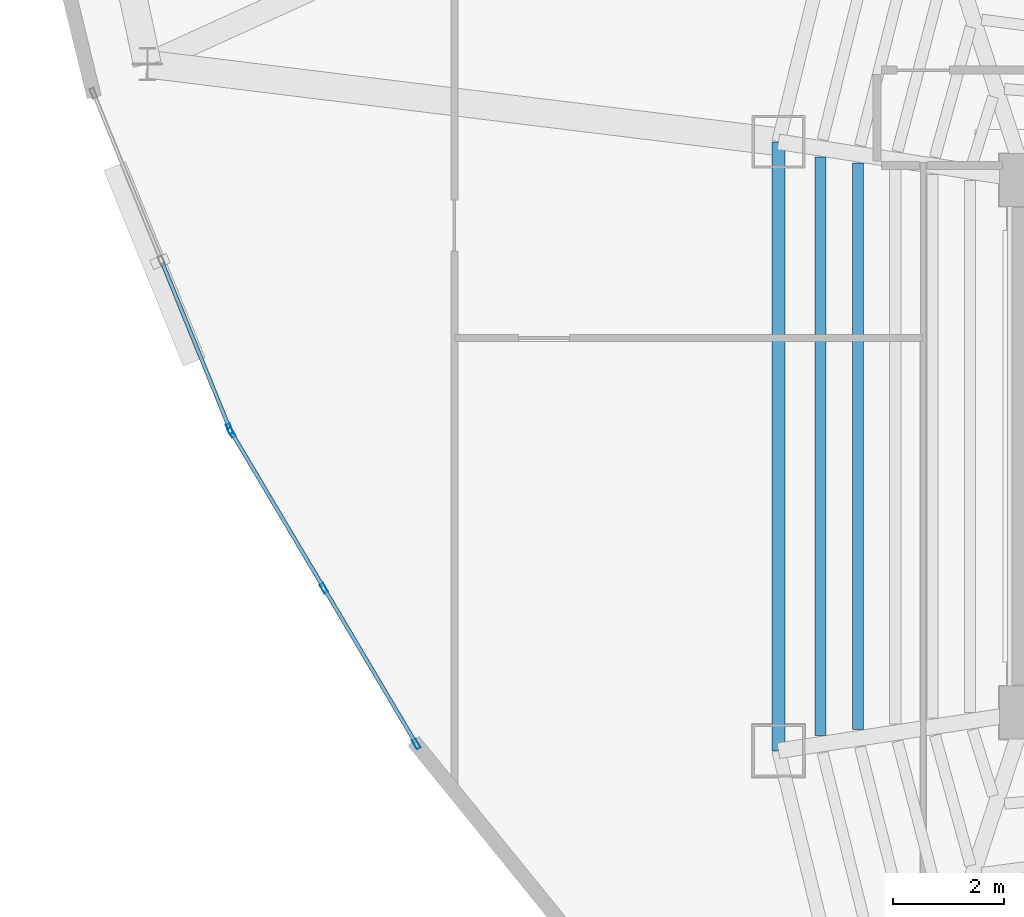
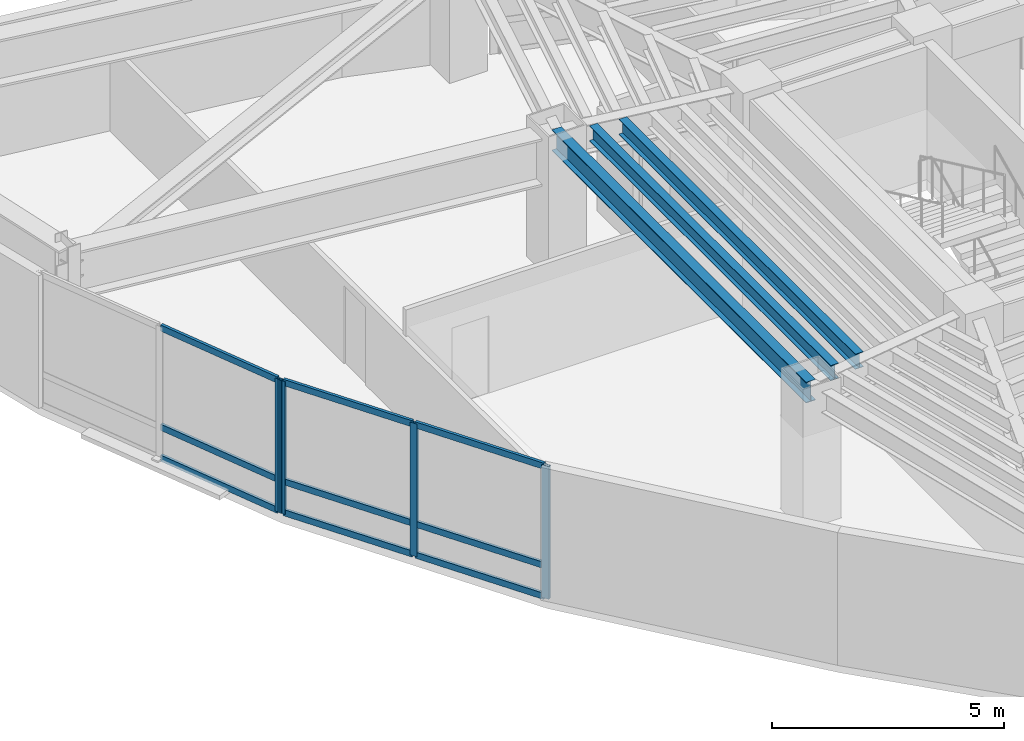
# One storey, part 2 of 16: 13 members, 3 beams, 2 elements without a shape of their own.
"""IFC4 building model written with IfcOpenShell, lengths in metres."""

from ifc_helpers import new_model, si_unit, direction, frame, origin, origin_2d, place, context, subcontext, project, spatial, hollow_rectangle, i_section, extrude, material, layer, layer_set, material_profile, profile_set, type_object, element, aggregate, save


model = new_model("IFC4")

# Units and contexts
model_context = context("Model", 3, precision=1e-05, world=origin(), true_north=direction((0.0, 1.0)))
body_context = subcontext(model_context, "Body", "Model", "MODEL_VIEW")
ifc_project = project(units=[si_unit("LENGTHUNIT", "METRE"), si_unit("AREAUNIT", "SQUARE_METRE"), si_unit("VOLUMEUNIT", "CUBIC_METRE"), si_unit("PLANEANGLEUNIT", "RADIAN"), si_unit("MASSUNIT", "GRAM", prefix="KILO")], contexts=[model_context])

# Site, building, storey
site_placement = place(None, origin())
site = spatial("IfcSite", under=ifc_project, at=site_placement, CompositionType="ELEMENT")
building_placement = place(site_placement, origin())
building = spatial("IfcBuilding", under=site, at=building_placement, Name="Menara Vayukalpa", CompositionType="ELEMENT")
storey_placement = place(building_placement, frame((0.0, 0.0, 195.239990234375)))
storey = spatial("IfcBuildingStorey", under=building, at=storey_placement, Name="L49", CompositionType="ELEMENT", Elevation=195.239990234375)

# Beams
ifc_material_1 = material(Name="Steel S355", Category="steel")
ifc_material_profile_1 = material_profile(ifc_material_1, i_section(OverallWidth=0.199951171875, OverallDepth=0.39990234375, WebThickness=0.008056640625, FlangeThickness=0.012939453125, at=origin_2d()), Name="WF 400x200x8x13")
ifc_profile_set_1 = profile_set([ifc_material_profile_1], Name="Steel S355")
beam_type_1 = type_object("IfcBeamType", Name="BM-SJ2", PredefinedType="JOIST", material=ifc_profile_set_1)
beam_1_placement = place(storey_placement, frame((14.77490234375, 27.10791015625, 3.300048828125), z_axis=(0.0, -1.0, 0.0), x_axis=(1.0, 0.0, 0.0)))
element("IfcBeam", 1, at=beam_1_placement, inside=storey, type_object=beam_type_1, Name="L49 Secondary Floor Joist SJ05-4", PredefinedType="JOIST", context=body_context, shape_type="SweptSolid", body=[
    extrude(i_section(OverallWidth=0.199951171875, OverallDepth=0.39990234375, WebThickness=0.008056640625, FlangeThickness=0.012939453125, at=origin_2d()), origin(), (0.0, 0.0, 1.0), 10.2158203125),
])
beam_2_placement = place(storey_placement, frame((14.1015625, 27.2119140625, 3.300048828125), z_axis=(0.0, -1.0, 0.0), x_axis=(1.0, 0.0, 0.0)))
element("IfcBeam", 2, at=beam_2_placement, inside=storey, type_object=beam_type_1, Name="L49 Secondary Floor Joist SJ05-5", PredefinedType="JOIST", context=body_context, shape_type="SweptSolid", body=[
    extrude(i_section(OverallWidth=0.199951171875, OverallDepth=0.39990234375, WebThickness=0.008056640625, FlangeThickness=0.012939453125, at=origin_2d()), origin(), (0.0, 0.0, 1.0), 10.423828125),
])
ifc_material_2 = material(Name="Steel S355", Category="steel")
ifc_material_profile_2 = material_profile(ifc_material_2, i_section(OverallWidth=0.239990234375, OverallDepth=0.550048828125, WebThickness=0.010986328125, FlangeThickness=0.01904296875, at=origin_2d()), Name="WF 550x240x11x19")
ifc_profile_set_2 = profile_set([ifc_material_profile_2], Name="Steel S355")
beam_type_2 = type_object("IfcBeamType", Name="BM-SP2", PredefinedType="SPANDREL", material=ifc_profile_set_2)
beam_3_placement = place(storey_placement, frame((13.343994140625, 27.4892578125, 3.22509765625), z_axis=(0.0, -1.0, 0.0), x_axis=(1.0, 0.0, 0.0)))
element("IfcBeam", 3, at=beam_3_placement, inside=storey, type_object=beam_type_2, Name="L49 Perimeter Spandrel Beam SP05", PredefinedType="SPANDREL", context=body_context, shape_type="SweptSolid", body=[
    extrude(i_section(OverallWidth=0.239990234375, OverallDepth=0.550048828125, WebThickness=0.010986328125, FlangeThickness=0.01904296875, at=origin_2d()), origin(), (0.0, 0.0, 1.0), 10.978515625),
])

# Curtain wall, member
ifc_material_3 = material(Name="Anodised Terracotta Aluminium Alloy 6063-T6", Category="masonry")
ifc_layer = layer(ifc_material_3, 0.179931640625)
ifc_layer_set = layer_set([ifc_layer], Name="Anodised Terracotta Aluminium Alloy 6063-T6")
curtain_wall_type = type_object("IfcCurtainWallType", Name="CW-CW4", PredefinedType="USERDEFINED", material=ifc_layer_set)
curtain_wall_1_placement = place(storey_placement, origin())
curtain_wall_1 = element("IfcCurtainWall", 4, at=curtain_wall_1_placement, inside=storey, type_object=curtain_wall_type, Name="L49 Sky Bar Cantilever Glazed Curtain Wall CW4 13", ObjectType="UNITISED", PredefinedType="USERDEFINED")
ifc_material_4 = material(Name="Anodised Terracotta Aluminium Alloy 6063-T6", Category="masonry")
ifc_material_profile_3 = material_profile(ifc_material_4, hollow_rectangle(XDim=0.074951171875, YDim=0.179931640625, WallThickness=0.00390625, at=origin_2d()), Name="ALU 75x180x4")
ifc_profile_set_3 = profile_set([ifc_material_profile_3], Name="Anodised Terracotta Aluminium Alloy 6063-T6")
member_type_1 = type_object("IfcMemberType", Name="CWM-CW4", PredefinedType="MULLION", material=ifc_profile_set_3)
member_1_placement = place(storey_placement, frame((3.450927734375, 22.3154296875, 0.0), z_axis=(0.0, 0.0, 1.0), x_axis=(0.926582183577, 0.376092351793, 0.0)))
member_1 = element("IfcMember", 5, at=member_1_placement, type_object=member_type_1, Name="CW4 mullion 3", PredefinedType="MULLION", context=body_context, shape_type="SweptSolid", body=[
    extrude(hollow_rectangle(XDim=0.074951171875, YDim=0.179931640625, WallThickness=0.00390625, at=origin_2d()), origin(), (0.0, 0.0, 1.0), 3.5),
])

# Curtain wall, members
curtain_wall_2_placement = place(storey_placement, origin())
curtain_wall_2 = element("IfcCurtainWall", 6, at=curtain_wall_2_placement, inside=storey, type_object=curtain_wall_type, Name="L49 Sky Bar Cantilever Glazed Curtain Wall CW4 14", ObjectType="UNITISED", PredefinedType="USERDEFINED")
member_2_placement = place(storey_placement, frame((3.484130859375, 22.248291015625, 0.0), z_axis=(0.0, 0.0, 1.0), x_axis=(0.86012006921, 0.510091625634, 0.0)))
member_2 = element("IfcMember", 7, at=member_2_placement, type_object=member_type_1, Name="CW4 mullion 1", PredefinedType="MULLION", context=body_context, shape_type="SweptSolid", body=[
    extrude(hollow_rectangle(XDim=0.074951171875, YDim=0.179931640625, WallThickness=0.00390625, at=origin_2d()), origin(), (0.0, 0.0, 1.0), 3.5),
])
member_3_placement = place(storey_placement, frame((5.149658203125, 19.440185546875, 0.0), z_axis=(0.0, 0.0, 1.0), x_axis=(0.86012006921, 0.510091625634, 0.0)))
member_3 = element("IfcMember", 8, at=member_3_placement, type_object=member_type_1, Name="CW4 mullion 2", PredefinedType="MULLION", context=body_context, shape_type="SweptSolid", body=[
    extrude(hollow_rectangle(XDim=0.074951171875, YDim=0.179931640625, WallThickness=0.00390625, at=origin_2d()), origin(), (0.0, 0.0, 1.0), 3.5),
])
member_4_placement = place(storey_placement, frame((6.81494140625, 16.6318359375, 0.0), z_axis=(0.0, 0.0, 1.0), x_axis=(0.86012006921, 0.510091625634, 0.0)))
member_4 = element("IfcMember", 9, at=member_4_placement, type_object=member_type_1, Name="CW4 mullion 3", PredefinedType="MULLION", context=body_context, shape_type="SweptSolid", body=[
    extrude(hollow_rectangle(XDim=0.074951171875, YDim=0.179931640625, WallThickness=0.00390625, at=origin_2d()), origin(), (0.0, 0.0, 1.0), 3.5),
])

# Member
ifc_material_5 = material(Name="Anodised Terracotta Aluminium Alloy 6063-T6", Category="masonry")
ifc_material_profile_4 = material_profile(ifc_material_5, hollow_rectangle(XDim=0.070068359375, YDim=0.1650390625, WallThickness=0.00390625, at=origin_2d()), Name="ALU 70x165x4")
ifc_profile_set_4 = profile_set([ifc_material_profile_4], Name="Anodised Terracotta Aluminium Alloy 6063-T6")
member_type_2 = type_object("IfcMemberType", Name="CWT-CW4", PredefinedType="USERDEFINED", material=ifc_profile_set_4)
member_5_placement = place(storey_placement, frame((2.237060546875, 25.305908203125, 0.034912109375), z_axis=(0.376083469559, -0.926585788756, 0.0), x_axis=(0.926585788756, 0.376083469559, 0.0)))
member_5 = element("IfcMember", 10, at=member_5_placement, type_object=member_type_2, Name="CW4 transom 2.1", ObjectType="TRANSOM", PredefinedType="USERDEFINED", context=body_context, shape_type="SweptSolid", body=[
    extrude(hollow_rectangle(XDim=0.070068359375, YDim=0.1650390625, WallThickness=0.00390625, at=origin_2d()), origin(), (0.0, 0.0, 1.0), 3.18994140625),
])

member_6_placement = place(storey_placement, frame((2.237060546875, 25.305908203125, 0.85009765625), z_axis=(0.376083469559, -0.926585788756, 0.0), x_axis=(0.926585788756, 0.376083469559, 0.0)))
member_6 = element("IfcMember", 11, at=member_6_placement, type_object=member_type_2, Name="CW4 transom 2.2", ObjectType="TRANSOM", PredefinedType="USERDEFINED", context=body_context, shape_type="SweptSolid", body=[
    extrude(hollow_rectangle(XDim=0.070068359375, YDim=0.1650390625, WallThickness=0.00390625, at=origin_2d()), origin(), (0.0, 0.0, 1.0), 3.18994140625),
])

member_7_placement = place(storey_placement, frame((2.237060546875, 25.305908203125, 3.465087890625), z_axis=(0.376083469559, -0.926585788756, 0.0), x_axis=(0.926585788756, 0.376083469559, 0.0)))
member_7 = element("IfcMember", 12, at=member_7_placement, type_object=member_type_2, Name="CW4 transom 2.3", ObjectType="TRANSOM", PredefinedType="USERDEFINED", context=body_context, shape_type="SweptSolid", body=[
    extrude(hollow_rectangle(XDim=0.070068359375, YDim=0.1650390625, WallThickness=0.00390625, at=origin_2d()), origin(), (0.0, 0.0, 1.0), 3.18994140625),
])

aggregate(curtain_wall_1, [member_1, member_5, member_6, member_7])

member_8_placement = place(storey_placement, frame((3.503173828125, 22.216064453125, 0.034912109375), z_axis=(0.51011075387, -0.86010872498, 0.0), x_axis=(0.86010872498, 0.51011075387, 0.0)))
member_8 = element("IfcMember", 13, at=member_8_placement, type_object=member_type_2, Name="CW4 transom 1.1", ObjectType="TRANSOM", PredefinedType="USERDEFINED", context=body_context, shape_type="SweptSolid", body=[
    extrude(hollow_rectangle(XDim=0.070068359375, YDim=0.1650390625, WallThickness=0.00390625, at=origin_2d()), origin(), (0.0, 0.0, 1.0), 3.18994140625),
])

member_9_placement = place(storey_placement, frame((3.503173828125, 22.216064453125, 0.85009765625), z_axis=(0.51011075387, -0.86010872498, 0.0), x_axis=(0.86010872498, 0.51011075387, 0.0)))
member_9 = element("IfcMember", 14, at=member_9_placement, type_object=member_type_2, Name="CW4 transom 1.2", ObjectType="TRANSOM", PredefinedType="USERDEFINED", context=body_context, shape_type="SweptSolid", body=[
    extrude(hollow_rectangle(XDim=0.070068359375, YDim=0.1650390625, WallThickness=0.00390625, at=origin_2d()), origin(), (0.0, 0.0, 1.0), 3.18994140625),
])

member_10_placement = place(storey_placement, frame((3.503173828125, 22.216064453125, 3.465087890625), z_axis=(0.51011075387, -0.86010872498, 0.0), x_axis=(0.86010872498, 0.51011075387, 0.0)))
member_10 = element("IfcMember", 15, at=member_10_placement, type_object=member_type_2, Name="CW4 transom 1.3", ObjectType="TRANSOM", PredefinedType="USERDEFINED", context=body_context, shape_type="SweptSolid", body=[
    extrude(hollow_rectangle(XDim=0.070068359375, YDim=0.1650390625, WallThickness=0.00390625, at=origin_2d()), origin(), (0.0, 0.0, 1.0), 3.18994140625),
])

member_11_placement = place(storey_placement, frame((5.168701171875, 19.407958984375, 0.034912109375), z_axis=(0.510077175578, -0.860128638608, 0.0), x_axis=(0.860128638608, 0.510077175578, 0.0)))
member_11 = element("IfcMember", 16, at=member_11_placement, type_object=member_type_2, Name="CW4 transom 2.1", ObjectType="TRANSOM", PredefinedType="USERDEFINED", context=body_context, shape_type="SweptSolid", body=[
    extrude(hollow_rectangle(XDim=0.070068359375, YDim=0.1650390625, WallThickness=0.00390625, at=origin_2d()), origin(), (0.0, 0.0, 1.0), 3.190185546875),
])

member_12_placement = place(storey_placement, frame((5.168701171875, 19.407958984375, 0.85009765625), z_axis=(0.510077175578, -0.860128638608, 0.0), x_axis=(0.860128638608, 0.510077175578, 0.0)))
member_12 = element("IfcMember", 17, at=member_12_placement, type_object=member_type_2, Name="CW4 transom 2.2", ObjectType="TRANSOM", PredefinedType="USERDEFINED", context=body_context, shape_type="SweptSolid", body=[
    extrude(hollow_rectangle(XDim=0.070068359375, YDim=0.1650390625, WallThickness=0.00390625, at=origin_2d()), origin(), (0.0, 0.0, 1.0), 3.190185546875),
])

member_13_placement = place(storey_placement, frame((5.168701171875, 19.407958984375, 3.465087890625), z_axis=(0.510077175578, -0.860128638608, 0.0), x_axis=(0.860128638608, 0.510077175578, 0.0)))
member_13 = element("IfcMember", 18, at=member_13_placement, type_object=member_type_2, Name="CW4 transom 2.3", ObjectType="TRANSOM", PredefinedType="USERDEFINED", context=body_context, shape_type="SweptSolid", body=[
    extrude(hollow_rectangle(XDim=0.070068359375, YDim=0.1650390625, WallThickness=0.00390625, at=origin_2d()), origin(), (0.0, 0.0, 1.0), 3.190185546875),
])

aggregate(curtain_wall_2, [member_2, member_3, member_4, member_8, member_9, member_10, member_11, member_12, member_13])

save(model, "model.ifc")
